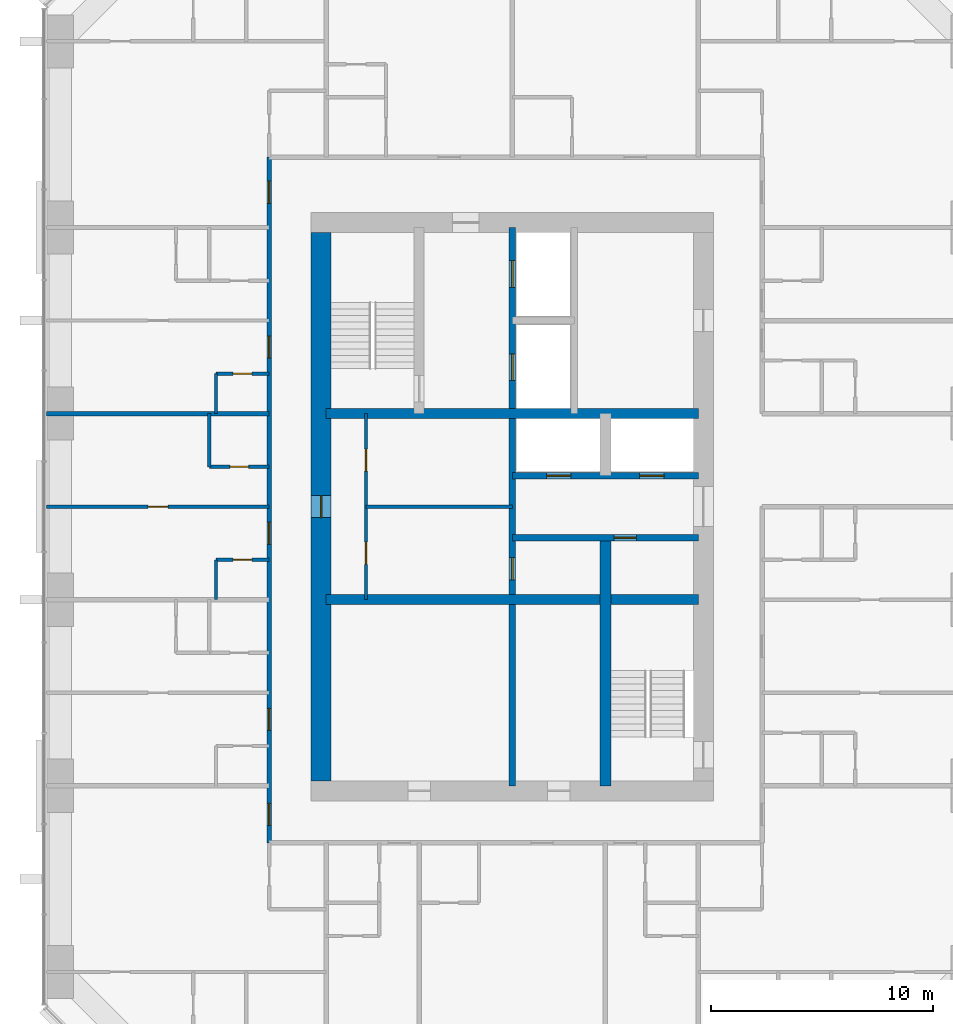
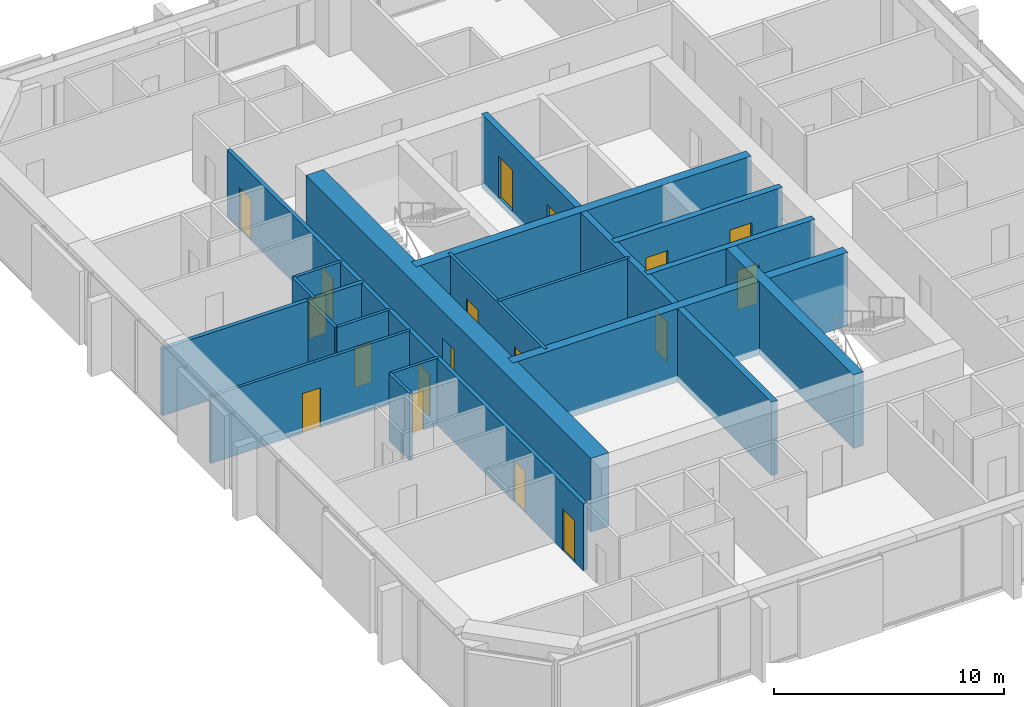
# One storey, part 8 of 12: 18 doors, 18 walls, 18 openings.
"""IFC4 building model written with IfcOpenShell, lengths in metres."""

from ifc_helpers import new_model, si_unit, direction, frame, frame_2d, origin, place, context, subcontext, project, spatial, rectangle, extrude, material, layer, layer_set, type_object, element, fill, save


model = new_model("IFC4")

# Units and contexts
model_context = context("Model", 3, precision=1e-05, world=origin(), true_north=direction((0.0, 1.0)))
body_context = subcontext(model_context, "Body", "Model", "MODEL_VIEW")
ifc_project = project(units=[si_unit("LENGTHUNIT", "METRE"), si_unit("AREAUNIT", "SQUARE_METRE"), si_unit("VOLUMEUNIT", "CUBIC_METRE"), si_unit("PLANEANGLEUNIT", "RADIAN"), si_unit("MASSUNIT", "GRAM", prefix="KILO")], contexts=[model_context])

# Site, building, storey
site_placement = place(None, origin())
site = spatial("IfcSite", under=ifc_project, at=site_placement, CompositionType="ELEMENT")
building_placement = place(site_placement, origin())
building = spatial("IfcBuilding", under=site, at=building_placement, Name="Dunama Terrace Hotel", CompositionType="ELEMENT")
storey_placement = place(building_placement, frame((0.0, 0.0, 233.39990234375)))
storey = spatial("IfcBuildingStorey", under=building, at=storey_placement, Name="L60", CompositionType="ELEMENT", Elevation=233.39990234375)

# Walls
ifc_material_1 = material(Name="Gypsum board partition", Category="masonry")
ifc_layer_1 = layer(ifc_material_1, 0.14990234375)
ifc_layer_set_1 = layer_set([ifc_layer_1], Name="Bathroom partition 150")
wall_type_1 = type_object("IfcWallType", Name="Bathroom partition 150", PredefinedType="PARTITIONING", material=ifc_layer_set_1)
wall_1_placement = place(storey_placement, frame((19.925048828125, 31.199951171875, 0.0), z_axis=(0.0, 0.0, 1.0), x_axis=(0.0, 1.0, 0.0)))
element("IfcWall", 1, at=wall_1_placement, inside=storey, type_object=wall_type_1, Name="Bathroom partition 150 L60", PredefinedType="PARTITIONING", context=body_context, shape_type="SweptSolid", body=[
    extrude(rectangle(XDim=2.400146484375, YDim=0.14990234375, at=frame_2d((1.2001953125, 0.0))), origin(), (0.0, 0.0, 1.0), 3.550048828125),
])
wall_2_placement = place(storey_placement, frame((20.22509765625, 25.199951171875, 0.0), z_axis=(0.0, 0.0, 1.0), x_axis=(0.0, 1.0, 0.0)))
element("IfcWall", 2, at=wall_2_placement, inside=storey, type_object=wall_type_1, Name="Bathroom partition 150 L60", PredefinedType="PARTITIONING", context=body_context, shape_type="SweptSolid", body=[
    extrude(rectangle(XDim=1.800048828125, YDim=0.14990234375, at=frame_2d((0.89990234375, 0.0))), origin(), (0.0, 0.0, 1.0), 3.550048828125),
])
wall_3_placement = place(storey_placement, frame((20.22509765625, 33.60009765625, 0.0), z_axis=(0.0, 0.0, 1.0), x_axis=(0.0, 1.0, 0.0)))
element("IfcWall", 3, at=wall_3_placement, inside=storey, type_object=wall_type_1, Name="Bathroom partition 150 L60", PredefinedType="PARTITIONING", context=body_context, shape_type="SweptSolid", body=[
    extrude(rectangle(XDim=1.7998046875, YDim=0.14990234375, at=frame_2d((0.89990234375, 0.0))), origin(), (0.0, 0.0, 1.0), 3.550048828125),
])

# Wall, opening, door
wall_4_placement = place(storey_placement, frame((20.22509765625, 27.0, 0.0), z_axis=(0.0, 0.0, 1.0), x_axis=(1.0, 0.0, 0.0)))
wall_4 = element("IfcWall", 4, at=wall_4_placement, inside=storey, type_object=wall_type_1, Name="Bathroom partition 150 L60", PredefinedType="PARTITIONING", context=body_context, shape_type="SweptSolid", body=[
    extrude(rectangle(XDim=2.39990234375, YDim=0.14990234375, at=frame_2d((1.199951171875, 0.0))), origin(), (0.0, 0.0, 1.0), 3.550048828125),
])
opening_1_placement = place(wall_4_placement, frame((0.77490234375, 0.0, 0.0)))
opening_1 = element("IfcOpeningElement", 5, at=opening_1_placement, cuts=wall_4, Name="Opening L60-038", PredefinedType="OPENING", context=body_context, shape_type="SweptSolid", body=[
    extrude(rectangle(XDim=0.85009765625, YDim=2.10009765625, at=frame_2d((0.425048828125, 1.050048828125))), frame((0.0, 0.0849609375, 0.0), z_axis=(0.0, -1.0, 0.0), x_axis=(1.0, 0.0, 0.0)), (0.0, 0.0, 1.0), 0.169921875),
])
ifc_material_2 = material(Name="Timber door with steel frame", Category="steel")
door_type_1 = type_object("IfcDoorType", Name="Bathroom door 850", OperationType="SINGLE_SWING_LEFT", PredefinedType="DOOR", material=ifc_material_2)
door_1_placement = place(opening_1_placement, frame((0.85009765625, 0.0, 0.0), z_axis=(0.0, 0.0, 1.0), x_axis=(-1.0, 0.0, 0.0)))
door_1 = element("IfcDoor", 6, at=door_1_placement, inside=storey, type_object=door_type_1, Name="Door to powder room L60-038, type D2", OperationType="SINGLE_SWING_LEFT", OverallHeight=2.10009765625, OverallWidth=0.85009765625, PredefinedType="DOOR", context=body_context, shape_type="SweptSolid", body=[
    extrude(rectangle(XDim=0.85009765625, YDim=2.10009765625, at=frame_2d((0.425048828125, 1.050048828125))), frame((0.0, 0.025146484375, 0.0), z_axis=(0.0, -1.0, 0.0), x_axis=(1.0, 0.0, 0.0)), (0.0, 0.0, 1.0), 0.050048828125),
])
fill(opening_1, door_1)

wall_5_placement = place(storey_placement, frame((19.925048828125, 31.199951171875, 0.0), z_axis=(0.0, 0.0, 1.0), x_axis=(1.0, 0.0, 0.0)))
wall_5 = element("IfcWall", 7, at=wall_5_placement, inside=storey, type_object=wall_type_1, Name="Bathroom partition 150 L60", PredefinedType="PARTITIONING", context=body_context, shape_type="SweptSolid", body=[
    extrude(rectangle(XDim=2.699951171875, YDim=0.14990234375, at=frame_2d((1.35009765625, 0.0))), origin(), (0.0, 0.0, 1.0), 3.550048828125),
])
opening_2_placement = place(wall_5_placement, frame((0.925048828125, 0.0, 0.0)))
opening_2 = element("IfcOpeningElement", 8, at=opening_2_placement, cuts=wall_5, Name="Opening L60-040", PredefinedType="OPENING", context=body_context, shape_type="SweptSolid", body=[
    extrude(rectangle(XDim=0.85009765625, YDim=2.10009765625, at=frame_2d((0.425048828125, 1.050048828125))), frame((0.0, 0.0849609375, 0.0), z_axis=(0.0, -1.0, 0.0), x_axis=(1.0, 0.0, 0.0)), (0.0, 0.0, 1.0), 0.169921875),
])
door_2_placement = place(opening_2_placement, origin())
door_2 = element("IfcDoor", 9, at=door_2_placement, inside=storey, type_object=door_type_1, Name="Door to en-suite bathroom L60-040, type D2", OperationType="SINGLE_SWING_RIGHT", OverallHeight=2.10009765625, OverallWidth=0.85009765625, PredefinedType="DOOR", context=body_context, shape_type="SweptSolid", body=[
    extrude(rectangle(XDim=0.85009765625, YDim=2.10009765625, at=frame_2d((0.425048828125, 1.050048828125))), frame((0.0, 0.02490234375, 0.0), z_axis=(0.0, -1.0, 0.0), x_axis=(1.0, 0.0, 0.0)), (0.0, 0.0, 1.0), 0.050048828125),
])
fill(opening_2, door_2)

wall_6_placement = place(storey_placement, frame((20.22509765625, 35.39990234375, 0.0), z_axis=(0.0, 0.0, 1.0), x_axis=(1.0, 0.0, 0.0)))
wall_6 = element("IfcWall", 10, at=wall_6_placement, inside=storey, type_object=wall_type_1, Name="Bathroom partition 150 L60", PredefinedType="PARTITIONING", context=body_context, shape_type="SweptSolid", body=[
    extrude(rectangle(XDim=2.39990234375, YDim=0.14990234375, at=frame_2d((1.199951171875, 0.0))), origin(), (0.0, 0.0, 1.0), 3.550048828125),
])
opening_3_placement = place(wall_6_placement, frame((0.77490234375, 0.0, 0.0)))
opening_3 = element("IfcOpeningElement", 11, at=opening_3_placement, cuts=wall_6, Name="Opening L60-042", PredefinedType="OPENING", context=body_context, shape_type="SweptSolid", body=[
    extrude(rectangle(XDim=0.85009765625, YDim=2.10009765625, at=frame_2d((0.425048828125, 1.050048828125))), frame((0.0, 0.0849609375, 0.0), z_axis=(0.0, -1.0, 0.0), x_axis=(1.0, 0.0, 0.0)), (0.0, 0.0, 1.0), 0.169921875),
])
door_3_placement = place(opening_3_placement, frame((0.85009765625, 0.0, 0.0), z_axis=(0.0, 0.0, 1.0), x_axis=(-1.0, 0.0, 0.0)))
door_3 = element("IfcDoor", 12, at=door_3_placement, inside=storey, type_object=door_type_1, Name="Door to powder room L60-042, type D2", OperationType="SINGLE_SWING_LEFT", OverallHeight=2.10009765625, OverallWidth=0.85009765625, PredefinedType="DOOR", context=body_context, shape_type="SweptSolid", body=[
    extrude(rectangle(XDim=0.85009765625, YDim=2.10009765625, at=frame_2d((0.425048828125, 1.050048828125))), frame((0.0, 0.025146484375, 0.0), z_axis=(0.0, -1.0, 0.0), x_axis=(1.0, 0.0, 0.0)), (0.0, 0.0, 1.0), 0.050048828125),
])
fill(opening_3, door_3)

# Wall, openings, doors
ifc_material_3 = material(Name="Concrete C50/60", Category="concrete")
ifc_layer_2 = layer(ifc_material_3, 0.300048828125)
ifc_layer_set_2 = layer_set([ifc_layer_2], Name="Core inner wall 300")
wall_type_2 = type_object("IfcWallType", Name="Core inner wall 300", PredefinedType="SHEAR", material=ifc_layer_set_2)
wall_7_placement = place(storey_placement, frame((33.60009765625, 16.800048828125, -0.349853515625), z_axis=(0.0, 0.0, 1.0), x_axis=(0.0, 1.0, 0.0)))
wall_7 = element("IfcWall", 13, at=wall_7_placement, inside=storey, type_object=wall_type_2, Name="Core inner wall 300 L60", PredefinedType="SHEAR", context=body_context, shape_type="SweptSolid", body=[
    extrude(rectangle(XDim=25.199951171875, YDim=0.300048828125, at=frame_2d((12.60009765625, 0.0))), origin(), (0.0, 0.0, 1.0), 3.89990234375),
])
opening_4_placement = place(wall_7_placement, frame((22.5, 0.0, 0.35009765625)))
opening_4 = element("IfcOpeningElement", 14, at=opening_4_placement, cuts=wall_7, Name="Opening L60-005", PredefinedType="OPENING", context=body_context, shape_type="SweptSolid", body=[
    extrude(rectangle(XDim=1.199951171875, YDim=2.199951171875, at=frame_2d((0.60009765625, 1.10009765625))), frame((0.0, 0.159912109375, 0.0), z_axis=(0.0, -1.0, 0.0), x_axis=(1.0, 0.0, 0.0)), (0.0, 0.0, 1.0), 0.320068359375),
])
opening_5_placement = place(wall_7_placement, frame((18.300048828125, 0.0, 0.35009765625)))
opening_5 = element("IfcOpeningElement", 15, at=opening_5_placement, cuts=wall_7, Name="Opening L60-006", PredefinedType="OPENING", context=body_context, shape_type="SweptSolid", body=[
    extrude(rectangle(XDim=1.199951171875, YDim=2.199951171875, at=frame_2d((0.60009765625, 1.10009765625))), frame((0.0, 0.159912109375, 0.0), z_axis=(0.0, -1.0, 0.0), x_axis=(1.0, 0.0, 0.0)), (0.0, 0.0, 1.0), 0.320068359375),
])
opening_6_placement = place(wall_7_placement, frame((9.300048828125, 0.0, 0.35009765625)))
opening_6 = element("IfcOpeningElement", 16, at=opening_6_placement, cuts=wall_7, Name="Opening L60-069", PredefinedType="OPENING", context=body_context, shape_type="SweptSolid", body=[
    extrude(rectangle(XDim=1.0, YDim=2.10009765625, at=frame_2d((0.5, 1.050048828125))), frame((0.0, 0.159912109375, 0.0), z_axis=(0.0, -1.0, 0.0), x_axis=(1.0, 0.0, 0.0)), (0.0, 0.0, 1.0), 0.320068359375),
])
ifc_material_4 = material(Name="Stainless steel lift door", Category="steel")
door_type_2 = type_object("IfcDoorType", Name="Firefighting lift landing door 1200", OperationType="DOUBLE_DOOR_SLIDING", PredefinedType="DOOR", material=ifc_material_4)
door_4_placement = place(opening_4_placement, origin())
door_4 = element("IfcDoor", 17, at=door_4_placement, inside=storey, type_object=door_type_2, Name="Landing door FL1 L60-005, type LD2", OperationType="DOUBLE_DOOR_SLIDING", OverallHeight=2.199951171875, OverallWidth=1.199951171875, PredefinedType="DOOR", context=body_context, shape_type="SweptSolid", body=[
    extrude(rectangle(XDim=1.199951171875, YDim=2.199951171875, at=frame_2d((0.60009765625, 1.10009765625))), frame((0.0, 0.02490234375, 0.0), z_axis=(0.0, -1.0, 0.0), x_axis=(1.0, 0.0, 0.0)), (0.0, 0.0, 1.0), 0.050048828125),
])
fill(opening_4, door_4)
door_5_placement = place(opening_5_placement, origin())
door_5 = element("IfcDoor", 18, at=door_5_placement, inside=storey, type_object=door_type_2, Name="Landing door FL2 L60-006, type LD2", OperationType="DOUBLE_DOOR_SLIDING", OverallHeight=2.199951171875, OverallWidth=1.199951171875, PredefinedType="DOOR", context=body_context, shape_type="SweptSolid", body=[
    extrude(rectangle(XDim=1.199951171875, YDim=2.199951171875, at=frame_2d((0.60009765625, 1.10009765625))), frame((0.0, 0.02490234375, 0.0), z_axis=(0.0, -1.0, 0.0), x_axis=(1.0, 0.0, 0.0)), (0.0, 0.0, 1.0), 0.050048828125),
])
fill(opening_5, door_5)
ifc_material_5 = material(Name="Timber door with steel frame", Category="steel")
door_type_3 = type_object("IfcDoorType", Name="Service door 1000", OperationType="SINGLE_SWING_LEFT", PredefinedType="DOOR", material=ifc_material_5)
door_6_placement = place(opening_6_placement, frame((1.0, 0.0, 0.0), z_axis=(0.0, 0.0, 1.0), x_axis=(-1.0, 0.0, 0.0)))
door_6 = element("IfcDoor", 19, at=door_6_placement, inside=storey, type_object=door_type_3, Name="Door to service riser L60-069, type D7", OperationType="SINGLE_SWING_RIGHT", OverallHeight=2.10009765625, OverallWidth=1.0, PredefinedType="DOOR", context=body_context, shape_type="SweptSolid", body=[
    extrude(rectangle(XDim=1.0, YDim=2.10009765625, at=frame_2d((0.5, 1.050048828125))), frame((0.0, 0.025146484375, 0.0), z_axis=(0.0, -1.0, 0.0), x_axis=(1.0, 0.0, 0.0)), (0.0, 0.0, 1.0), 0.050048828125),
])
fill(opening_6, door_6)

# Wall, opening, door
wall_8_placement = place(storey_placement, frame((33.60009765625, 28.0, -0.349853515625), z_axis=(0.0, 0.0, 1.0), x_axis=(1.0, 0.0, 0.0)))
wall_8 = element("IfcWall", 20, at=wall_8_placement, inside=storey, type_object=wall_type_2, Name="Core inner wall 300 L60", PredefinedType="SHEAR", context=body_context, shape_type="SweptSolid", body=[
    extrude(rectangle(XDim=8.39990234375, YDim=0.300048828125, at=frame_2d((4.199951171875, 0.0))), origin(), (0.0, 0.0, 1.0), 3.89990234375),
])
opening_7_placement = place(wall_8_placement, frame((4.60009765625, 0.0, 0.35009765625)))
opening_7 = element("IfcOpeningElement", 21, at=opening_7_placement, cuts=wall_8, Name="Opening L60-070", PredefinedType="OPENING", context=body_context, shape_type="SweptSolid", body=[
    extrude(rectangle(XDim=1.0, YDim=2.10009765625, at=frame_2d((0.5, 1.050048828125))), frame((0.0, 0.159912109375, 0.0), z_axis=(0.0, -1.0, 0.0), x_axis=(1.0, 0.0, 0.0)), (0.0, 0.0, 1.0), 0.320068359375),
])
door_7_placement = place(opening_7_placement, frame((1.0, 0.0, 0.0), z_axis=(0.0, 0.0, 1.0), x_axis=(-1.0, 0.0, 0.0)))
door_7 = element("IfcDoor", 22, at=door_7_placement, inside=storey, type_object=door_type_3, Name="Door to guest pantry L60-070, type D7", OperationType="SINGLE_SWING_RIGHT", OverallHeight=2.10009765625, OverallWidth=1.0, PredefinedType="DOOR", context=body_context, shape_type="SweptSolid", body=[
    extrude(rectangle(XDim=1.0, YDim=2.10009765625, at=frame_2d((0.5, 1.050048828125))), frame((0.0, 0.025146484375, 0.0), z_axis=(0.0, -1.0, 0.0), x_axis=(1.0, 0.0, 0.0)), (0.0, 0.0, 1.0), 0.050048828125),
])
fill(opening_7, door_7)

# Wall, openings, doors
wall_9_placement = place(storey_placement, frame((33.60009765625, 30.800048828125, -0.349853515625), z_axis=(0.0, 0.0, 1.0), x_axis=(1.0, 0.0, 0.0)))
wall_9 = element("IfcWall", 23, at=wall_9_placement, inside=storey, type_object=wall_type_2, Name="Core inner wall 300 L60", PredefinedType="SHEAR", context=body_context, shape_type="SweptSolid", body=[
    extrude(rectangle(XDim=8.39990234375, YDim=0.300048828125, at=frame_2d((4.199951171875, 0.0))), origin(), (0.0, 0.0, 1.0), 3.89990234375),
])
opening_8_placement = place(wall_9_placement, frame((1.550048828125, 0.0, 0.35009765625)))
opening_8 = element("IfcOpeningElement", 24, at=opening_8_placement, cuts=wall_9, Name="Opening L60-003", PredefinedType="OPENING", context=body_context, shape_type="SweptSolid", body=[
    extrude(rectangle(XDim=1.10009765625, YDim=2.199951171875, at=frame_2d((0.550048828125, 1.10009765625))), frame((0.0, 0.159912109375, 0.0), z_axis=(0.0, -1.0, 0.0), x_axis=(1.0, 0.0, 0.0)), (0.0, 0.0, 1.0), 0.320068359375),
])
opening_9_placement = place(wall_9_placement, frame((5.75, 0.0, 0.35009765625)))
opening_9 = element("IfcOpeningElement", 25, at=opening_9_placement, cuts=wall_9, Name="Opening L60-004", PredefinedType="OPENING", context=body_context, shape_type="SweptSolid", body=[
    extrude(rectangle(XDim=1.10009765625, YDim=2.199951171875, at=frame_2d((0.550048828125, 1.10009765625))), frame((0.0, 0.159912109375, 0.0), z_axis=(0.0, -1.0, 0.0), x_axis=(1.0, 0.0, 0.0)), (0.0, 0.0, 1.0), 0.320068359375),
])
ifc_material_6 = material(Name="Stainless steel lift door", Category="steel")
door_type_4 = type_object("IfcDoorType", Name="Lift landing door 1100", OperationType="DOUBLE_DOOR_SLIDING", PredefinedType="DOOR", material=ifc_material_6)
door_8_placement = place(opening_8_placement, origin())
door_8 = element("IfcDoor", 26, at=door_8_placement, inside=storey, type_object=door_type_4, Name="Landing door PD1 L60-003, type LD1", OperationType="DOUBLE_DOOR_SLIDING", OverallHeight=2.199951171875, OverallWidth=1.10009765625, PredefinedType="DOOR", context=body_context, shape_type="SweptSolid", body=[
    extrude(rectangle(XDim=1.10009765625, YDim=2.199951171875, at=frame_2d((0.550048828125, 1.10009765625))), frame((0.0, 0.02490234375, 0.0), z_axis=(0.0, -1.0, 0.0), x_axis=(1.0, 0.0, 0.0)), (0.0, 0.0, 1.0), 0.050048828125),
])
fill(opening_8, door_8)
door_9_placement = place(opening_9_placement, origin())
door_9 = element("IfcDoor", 27, at=door_9_placement, inside=storey, type_object=door_type_4, Name="Landing door PD2 L60-004, type LD1", OperationType="DOUBLE_DOOR_SLIDING", OverallHeight=2.199951171875, OverallWidth=1.10009765625, PredefinedType="DOOR", context=body_context, shape_type="SweptSolid", body=[
    extrude(rectangle(XDim=1.10009765625, YDim=2.199951171875, at=frame_2d((0.550048828125, 1.10009765625))), frame((0.0, 0.02490234375, 0.0), z_axis=(0.0, -1.0, 0.0), x_axis=(1.0, 0.0, 0.0)), (0.0, 0.0, 1.0), 0.050048828125),
])
fill(opening_9, door_9)

# Walls
ifc_material_7 = material(Name="Concrete C50/60", Category="concrete")
ifc_layer_3 = layer(ifc_material_7, 0.449951171875)
ifc_layer_set_3 = layer_set([ifc_layer_3], Name="Core inner wall 450")
wall_type_3 = type_object("IfcWallType", Name="Core inner wall 450", PredefinedType="SHEAR", material=ifc_layer_set_3)
for number, where, z_axis, x_axis, name in (
    (28, (25.199951171875, 25.199951171875, -0.349853515625), (0.0, 0.0, 1.0), (1.0, 0.0, 0.0), "Core inner wall 450 L60"),
    (29, (25.199951171875, 33.60009765625, -0.349853515625), (0.0, 0.0, 1.0), (1.0, 0.0, 0.0), "Core inner wall 450 L60"),
):
    element("IfcWall", number, at=place(storey_placement, frame(where, z_axis=z_axis, x_axis=x_axis)), inside=storey, type_object=wall_type_3, Name=name, PredefinedType="SHEAR", context=body_context, shape_type="SweptSolid", body=[
        extrude(rectangle(XDim=16.800048828125, YDim=0.449951171875, at=frame_2d((8.39990234375, 0.0))), origin(), (0.0, 0.0, 1.0), 3.89990234375),
    ])
ifc_material_8 = material(Name="Concrete C50/60", Category="concrete")
ifc_layer_4 = layer(ifc_material_8, 0.5)
ifc_layer_set_4 = layer_set([ifc_layer_4], Name="Core inner wall 500")
wall_type_4 = type_object("IfcWallType", Name="Core inner wall 500", PredefinedType="SHEAR", material=ifc_layer_set_4)
wall_10_placement = place(storey_placement, frame((37.800048828125, 16.800048828125, -0.349853515625), z_axis=(0.0, 0.0, 1.0), x_axis=(0.0, 1.0, 0.0)))
element("IfcWall", 30, at=wall_10_placement, inside=storey, type_object=wall_type_4, Name="Core inner wall 500 L60", PredefinedType="SHEAR", context=body_context, shape_type="SweptSolid", body=[
    extrude(rectangle(XDim=11.199951171875, YDim=0.5, at=frame_2d((5.60009765625, 0.0))), origin(), (0.0, 0.0, 1.0), 3.89990234375),
])

# Wall, opening, door
ifc_material_9 = material(Name="Concrete C60/75", Category="concrete")
ifc_layer_5 = layer(ifc_material_9, 0.89990234375)
ifc_layer_set_5 = layer_set([ifc_layer_5], Name="Core wall 900")
wall_type_5 = type_object("IfcWallType", Name="Core wall 900", PredefinedType="SHEAR", material=ifc_layer_set_5)
wall_11_placement = place(storey_placement, frame((24.97509765625, 41.77490234375, -0.349853515625), z_axis=(0.0, 0.0, 1.0), x_axis=(0.0, -1.0, 0.0)))
wall_11 = element("IfcWall", 31, at=wall_11_placement, inside=storey, type_object=wall_type_5, Name="Core wall west L60", PredefinedType="SHEAR", context=body_context, shape_type="SweptSolid", body=[
    extrude(rectangle(XDim=24.75, YDim=0.89990234375, at=frame_2d((12.375, 0.0))), origin(), (0.0, 0.0, 1.0), 3.89990234375),
])
opening_10_placement = place(wall_11_placement, frame((11.875, 0.0, 0.35009765625)))
opening_10 = element("IfcOpeningElement", 32, at=opening_10_placement, cuts=wall_11, Name="Opening L60-066", PredefinedType="OPENING", context=body_context, shape_type="SweptSolid", body=[
    extrude(rectangle(XDim=1.0, YDim=2.10009765625, at=frame_2d((0.5, 1.050048828125))), frame((0.0, 0.4599609375, 0.0), z_axis=(0.0, -1.0, 0.0), x_axis=(1.0, 0.0, 0.0)), (0.0, 0.0, 1.0), 0.919921875),
])
door_10_placement = place(opening_10_placement, origin())
door_10 = element("IfcDoor", 33, at=door_10_placement, inside=storey, type_object=door_type_3, Name="Door to staff passage L60-066, type D7", OperationType="SINGLE_SWING_LEFT", OverallHeight=2.10009765625, OverallWidth=1.0, PredefinedType="DOOR", context=body_context, shape_type="SweptSolid", body=[
    extrude(rectangle(XDim=1.0, YDim=2.10009765625, at=frame_2d((0.5, 1.050048828125))), frame((0.0, 0.02490234375, 0.0), z_axis=(0.0, -1.0, 0.0), x_axis=(1.0, 0.0, 0.0)), (0.0, 0.0, 1.0), 0.050048828125),
])
fill(opening_10, door_10)

# Wall, openings, doors
ifc_material_10 = material(Name="Concrete blockwork", Category="masonry")
ifc_layer_6 = layer(ifc_material_10, 0.199951171875)
ifc_layer_set_6 = layer_set([ifc_layer_6], Name="Corridor partition 200")
wall_type_6 = type_object("IfcWallType", Name="Corridor partition 200", PredefinedType="PARTITIONING", material=ifc_layer_set_6)
wall_12_placement = place(storey_placement, frame((22.625, 14.22509765625, 0.0), z_axis=(0.0, 0.0, 1.0), x_axis=(0.0, 1.0, 0.0)))
wall_12 = element("IfcWall", 34, at=wall_12_placement, inside=storey, type_object=wall_type_6, Name="Corridor partition 200 L60", PredefinedType="PARTITIONING", context=body_context, shape_type="SweptSolid", body=[
    extrude(rectangle(XDim=30.949951171875, YDim=0.199951171875, at=frame_2d((15.47509765625, 0.0))), origin(), (0.0, 0.0, 1.0), 3.550048828125),
])
opening_11_placement = place(wall_12_placement, frame((5.074951171875, 0.0, 0.0)))
opening_11 = element("IfcOpeningElement", 35, at=opening_11_placement, cuts=wall_12, Name="Opening L60-032", PredefinedType="OPENING", context=body_context, shape_type="SweptSolid", body=[
    extrude(rectangle(XDim=1.0, YDim=2.199951171875, at=frame_2d((0.5, 1.10009765625))), frame((0.0, 0.10986328125, 0.0), z_axis=(0.0, -1.0, 0.0), x_axis=(1.0, 0.0, 0.0)), (0.0, 0.0, 1.0), 0.219970703125),
])
opening_12_placement = place(wall_12_placement, frame((13.47509765625, 0.0, 0.0)))
opening_12 = element("IfcOpeningElement", 36, at=opening_12_placement, cuts=wall_12, Name="Opening L60-037", PredefinedType="OPENING", context=body_context, shape_type="SweptSolid", body=[
    extrude(rectangle(XDim=1.0, YDim=2.199951171875, at=frame_2d((0.5, 1.10009765625))), frame((0.0, 0.10986328125, 0.0), z_axis=(0.0, -1.0, 0.0), x_axis=(1.0, 0.0, 0.0)), (0.0, 0.0, 1.0), 0.219970703125),
])
opening_13_placement = place(wall_12_placement, frame((21.875, 0.0, 0.0)))
opening_13 = element("IfcOpeningElement", 37, at=opening_13_placement, cuts=wall_12, Name="Opening L60-041", PredefinedType="OPENING", context=body_context, shape_type="SweptSolid", body=[
    extrude(rectangle(XDim=1.0, YDim=2.199951171875, at=frame_2d((0.5, 1.10009765625))), frame((0.0, 0.10986328125, 0.0), z_axis=(0.0, -1.0, 0.0), x_axis=(1.0, 0.0, 0.0)), (0.0, 0.0, 1.0), 0.219970703125),
])
opening_14_placement = place(wall_12_placement, frame((0.787109375, 0.0, 0.0)))
opening_14 = element("IfcOpeningElement", 38, at=opening_14_placement, cuts=wall_12, Name="Opening L60-046", PredefinedType="OPENING", context=body_context, shape_type="SweptSolid", body=[
    extrude(rectangle(XDim=1.0, YDim=2.199951171875, at=frame_2d((0.5, 1.10009765625))), frame((0.0, 0.10986328125, 0.0), z_axis=(0.0, -1.0, 0.0), x_axis=(1.0, 0.0, 0.0)), (0.0, 0.0, 1.0), 0.219970703125),
])
opening_15_placement = place(wall_12_placement, frame((28.862060546875, 0.0, 0.0)))
opening_15 = element("IfcOpeningElement", 39, at=opening_15_placement, cuts=wall_12, Name="Opening L60-061", PredefinedType="OPENING", context=body_context, shape_type="SweptSolid", body=[
    extrude(rectangle(XDim=1.0, YDim=2.199951171875, at=frame_2d((0.5, 1.10009765625))), frame((0.0, 0.10986328125, 0.0), z_axis=(0.0, -1.0, 0.0), x_axis=(1.0, 0.0, 0.0)), (0.0, 0.0, 1.0), 0.219970703125),
])
ifc_material_11 = material(Name="Timber door with steel frame", Category="steel")
door_type_5 = type_object("IfcDoorType", Name="Guest room door 1000", OperationType="SINGLE_SWING_LEFT", PredefinedType="DOOR", material=ifc_material_11)
door_11_placement = place(opening_11_placement, origin())
door_11 = element("IfcDoor", 40, at=door_11_placement, inside=storey, type_object=door_type_5, Name="Door to one-bedroom suite living room L60-032, type D1", OperationType="SINGLE_SWING_LEFT", OverallHeight=2.199951171875, OverallWidth=1.0, PredefinedType="DOOR", context=body_context, shape_type="SweptSolid", body=[
    extrude(rectangle(XDim=1.0, YDim=2.199951171875, at=frame_2d((0.5, 1.10009765625))), frame((0.0, 0.02490234375, 0.0), z_axis=(0.0, -1.0, 0.0), x_axis=(1.0, 0.0, 0.0)), (0.0, 0.0, 1.0), 0.050048828125),
])
fill(opening_11, door_11)
door_12_placement = place(opening_12_placement, origin())
door_12 = element("IfcDoor", 41, at=door_12_placement, inside=storey, type_object=door_type_5, Name="Door to one-bedroom suite living room L60-037, type D1", OperationType="SINGLE_SWING_LEFT", OverallHeight=2.199951171875, OverallWidth=1.0, PredefinedType="DOOR", context=body_context, shape_type="SweptSolid", body=[
    extrude(rectangle(XDim=1.0, YDim=2.199951171875, at=frame_2d((0.5, 1.10009765625))), frame((0.0, 0.02490234375, 0.0), z_axis=(0.0, -1.0, 0.0), x_axis=(1.0, 0.0, 0.0)), (0.0, 0.0, 1.0), 0.050048828125),
])
fill(opening_12, door_12)
door_13_placement = place(opening_13_placement, origin())
door_13 = element("IfcDoor", 42, at=door_13_placement, inside=storey, type_object=door_type_5, Name="Door to one-bedroom suite living room L60-041, type D1", OperationType="SINGLE_SWING_RIGHT", OverallHeight=2.199951171875, OverallWidth=1.0, PredefinedType="DOOR", context=body_context, shape_type="SweptSolid", body=[
    extrude(rectangle(XDim=1.0, YDim=2.199951171875, at=frame_2d((0.5, 1.10009765625))), frame((0.0, 0.02490234375, 0.0), z_axis=(0.0, -1.0, 0.0), x_axis=(1.0, 0.0, 0.0)), (0.0, 0.0, 1.0), 0.050048828125),
])
fill(opening_13, door_13)
door_14_placement = place(opening_14_placement, origin())
door_14 = element("IfcDoor", 43, at=door_14_placement, inside=storey, type_object=door_type_5, Name="Door to grand corner suite living room L60-046, type D1", OperationType="SINGLE_SWING_LEFT", OverallHeight=2.199951171875, OverallWidth=1.0, PredefinedType="DOOR", context=body_context, shape_type="SweptSolid", body=[
    extrude(rectangle(XDim=1.0, YDim=2.199951171875, at=frame_2d((0.5, 1.10009765625))), frame((0.0, 0.02490234375, 0.0), z_axis=(0.0, -1.0, 0.0), x_axis=(1.0, 0.0, 0.0)), (0.0, 0.0, 1.0), 0.050048828125),
])
fill(opening_14, door_14)
door_15_placement = place(opening_15_placement, origin())
door_15 = element("IfcDoor", 44, at=door_15_placement, inside=storey, type_object=door_type_5, Name="Door to grand corner suite living room L60-061, type D1", OperationType="SINGLE_SWING_LEFT", OverallHeight=2.199951171875, OverallWidth=1.0, PredefinedType="DOOR", context=body_context, shape_type="SweptSolid", body=[
    extrude(rectangle(XDim=1.0, YDim=2.199951171875, at=frame_2d((0.5, 1.10009765625))), frame((0.0, 0.02490234375, 0.0), z_axis=(0.0, -1.0, 0.0), x_axis=(1.0, 0.0, 0.0)), (0.0, 0.0, 1.0), 0.050048828125),
])
fill(opening_15, door_15)

# Wall
ifc_material_12 = material(Name="Concrete blockwork", Category="masonry")
ifc_layer_7 = layer(ifc_material_12, 0.199951171875)
ifc_layer_set_7 = layer_set([ifc_layer_7], Name="Party wall 200")
wall_type_7 = type_object("IfcWallType", Name="Party wall 200", PredefinedType="PARTITIONING", material=ifc_layer_set_7)
wall_13_placement = place(storey_placement, frame((12.58203125, 33.60009765625, 0.0), z_axis=(0.0, 0.0, 1.0), x_axis=(1.0, 0.0, 0.0)))
element("IfcWall", 45, at=wall_13_placement, inside=storey, type_object=wall_type_7, Name="Party wall 200 L60", PredefinedType="PARTITIONING", context=body_context, shape_type="SweptSolid", body=[
    extrude(rectangle(XDim=10.04296875, YDim=0.199951171875, at=frame_2d((5.021484375, 0.0))), origin(), (0.0, 0.0, 1.0), 3.550048828125),
])

# Wall, openings, doors
ifc_material_13 = material(Name="Gypsum board partition", Category="masonry")
ifc_layer_8 = layer(ifc_material_13, 0.14990234375)
ifc_layer_set_8 = layer_set([ifc_layer_8], Name="Room partition 150")
wall_type_8 = type_object("IfcWallType", Name="Room partition 150", PredefinedType="PARTITIONING", material=ifc_layer_set_8)
wall_14_placement = place(storey_placement, frame((27.0, 25.199951171875, 0.0), z_axis=(0.0, 0.0, 1.0), x_axis=(0.0, 1.0, 0.0)))
wall_14 = element("IfcWall", 46, at=wall_14_placement, inside=storey, type_object=wall_type_8, Name="Room partition 150 L60", PredefinedType="PARTITIONING", context=body_context, shape_type="SweptSolid", body=[
    extrude(rectangle(XDim=8.400146484375, YDim=0.14990234375, at=frame_2d((4.2001953125, 0.0))), origin(), (0.0, 0.0, 1.0), 3.550048828125),
])
opening_16_placement = place(wall_14_placement, frame((1.60009765625, 0.0, 0.0)))
opening_16 = element("IfcOpeningElement", 47, at=opening_16_placement, cuts=wall_14, Name="Opening L60-067", PredefinedType="OPENING", context=body_context, shape_type="SweptSolid", body=[
    extrude(rectangle(XDim=1.0, YDim=2.10009765625, at=frame_2d((0.5, 1.050048828125))), frame((0.0, 0.0849609375, 0.0), z_axis=(0.0, -1.0, 0.0), x_axis=(1.0, 0.0, 0.0)), (0.0, 0.0, 1.0), 0.169921875),
])
opening_17_placement = place(wall_14_placement, frame((5.800048828125, 0.0, 0.0)))
opening_17 = element("IfcOpeningElement", 48, at=opening_17_placement, cuts=wall_14, Name="Opening L60-068", PredefinedType="OPENING", context=body_context, shape_type="SweptSolid", body=[
    extrude(rectangle(XDim=1.0, YDim=2.10009765625, at=frame_2d((0.5, 1.050048828125))), frame((0.0, 0.0849609375, 0.0), z_axis=(0.0, -1.0, 0.0), x_axis=(1.0, 0.0, 0.0)), (0.0, 0.0, 1.0), 0.169921875),
])
door_16_placement = place(opening_16_placement, frame((1.0, 0.0, 0.0), z_axis=(0.0, 0.0, 1.0), x_axis=(-1.0, 0.0, 0.0)))
door_16 = element("IfcDoor", 49, at=door_16_placement, inside=storey, type_object=door_type_3, Name="Door to riser room L60-067, type D7", OperationType="SINGLE_SWING_RIGHT", OverallHeight=2.10009765625, OverallWidth=1.0, PredefinedType="DOOR", context=body_context, shape_type="SweptSolid", body=[
    extrude(rectangle(XDim=1.0, YDim=2.10009765625, at=frame_2d((0.5, 1.050048828125))), frame((0.0, 0.025146484375, 0.0), z_axis=(0.0, -1.0, 0.0), x_axis=(1.0, 0.0, 0.0)), (0.0, 0.0, 1.0), 0.050048828125),
])
fill(opening_16, door_16)
door_17_placement = place(opening_17_placement, frame((1.0, 0.0, 0.0), z_axis=(0.0, 0.0, 1.0), x_axis=(-1.0, 0.0, 0.0)))
door_17 = element("IfcDoor", 50, at=door_17_placement, inside=storey, type_object=door_type_3, Name="Door to cleaners store L60-068, type D7", OperationType="SINGLE_SWING_LEFT", OverallHeight=2.10009765625, OverallWidth=1.0, PredefinedType="DOOR", context=body_context, shape_type="SweptSolid", body=[
    extrude(rectangle(XDim=1.0, YDim=2.10009765625, at=frame_2d((0.5, 1.050048828125))), frame((0.0, 0.025146484375, 0.0), z_axis=(0.0, -1.0, 0.0), x_axis=(1.0, 0.0, 0.0)), (0.0, 0.0, 1.0), 0.050048828125),
])
fill(opening_17, door_17)

# Wall, opening, door
wall_15_placement = place(storey_placement, frame((12.58203125, 29.39990234375, 0.0), z_axis=(0.0, 0.0, 1.0), x_axis=(1.0, 0.0, 0.0)))
wall_15 = element("IfcWall", 51, at=wall_15_placement, inside=storey, type_object=wall_type_8, Name="Room partition 150 L60", PredefinedType="PARTITIONING", context=body_context, shape_type="SweptSolid", body=[
    extrude(rectangle(XDim=10.04296875, YDim=0.14990234375, at=frame_2d((5.021484375, 0.0))), origin(), (0.0, 0.0, 1.0), 3.550048828125),
])
opening_18_placement = place(wall_15_placement, frame((4.5810546875, 0.0, 0.0)))
opening_18 = element("IfcOpeningElement", 52, at=opening_18_placement, cuts=wall_15, Name="Opening L60-039", PredefinedType="OPENING", context=body_context, shape_type="SweptSolid", body=[
    extrude(rectangle(XDim=0.89990234375, YDim=2.10009765625, at=frame_2d((0.449951171875, 1.050048828125))), frame((0.0, 0.0849609375, 0.0), z_axis=(0.0, -1.0, 0.0), x_axis=(1.0, 0.0, 0.0)), (0.0, 0.0, 1.0), 0.169921875),
])
ifc_material_14 = material(Name="Timber door with steel frame", Category="steel")
door_type_6 = type_object("IfcDoorType", Name="Suite internal door 900", OperationType="SINGLE_SWING_LEFT", PredefinedType="DOOR", material=ifc_material_14)
door_18_placement = place(opening_18_placement, origin())
door_18 = element("IfcDoor", 53, at=door_18_placement, inside=storey, type_object=door_type_6, Name="Door to one-bedroom suite bedroom L60-039, type D16", OperationType="SINGLE_SWING_RIGHT", OverallHeight=2.10009765625, OverallWidth=0.89990234375, PredefinedType="DOOR", context=body_context, shape_type="SweptSolid", body=[
    extrude(rectangle(XDim=0.89990234375, YDim=2.10009765625, at=frame_2d((0.449951171875, 1.050048828125))), frame((0.0, 0.02490234375, 0.0), z_axis=(0.0, -1.0, 0.0), x_axis=(1.0, 0.0, 0.0)), (0.0, 0.0, 1.0), 0.050048828125),
])
fill(opening_18, door_18)

# Wall
wall_16_placement = place(storey_placement, frame((27.0, 29.39990234375, 0.0), z_axis=(0.0, 0.0, 1.0), x_axis=(1.0, 0.0, 0.0)))
element("IfcWall", 54, at=wall_16_placement, inside=storey, type_object=wall_type_8, Name="Room partition 150 L60", PredefinedType="PARTITIONING", context=body_context, shape_type="SweptSolid", body=[
    extrude(rectangle(XDim=6.60009765625, YDim=0.14990234375, at=frame_2d((3.300048828125, 0.0))), origin(), (0.0, 0.0, 1.0), 3.550048828125),
])

save(model, "model.ifc")
